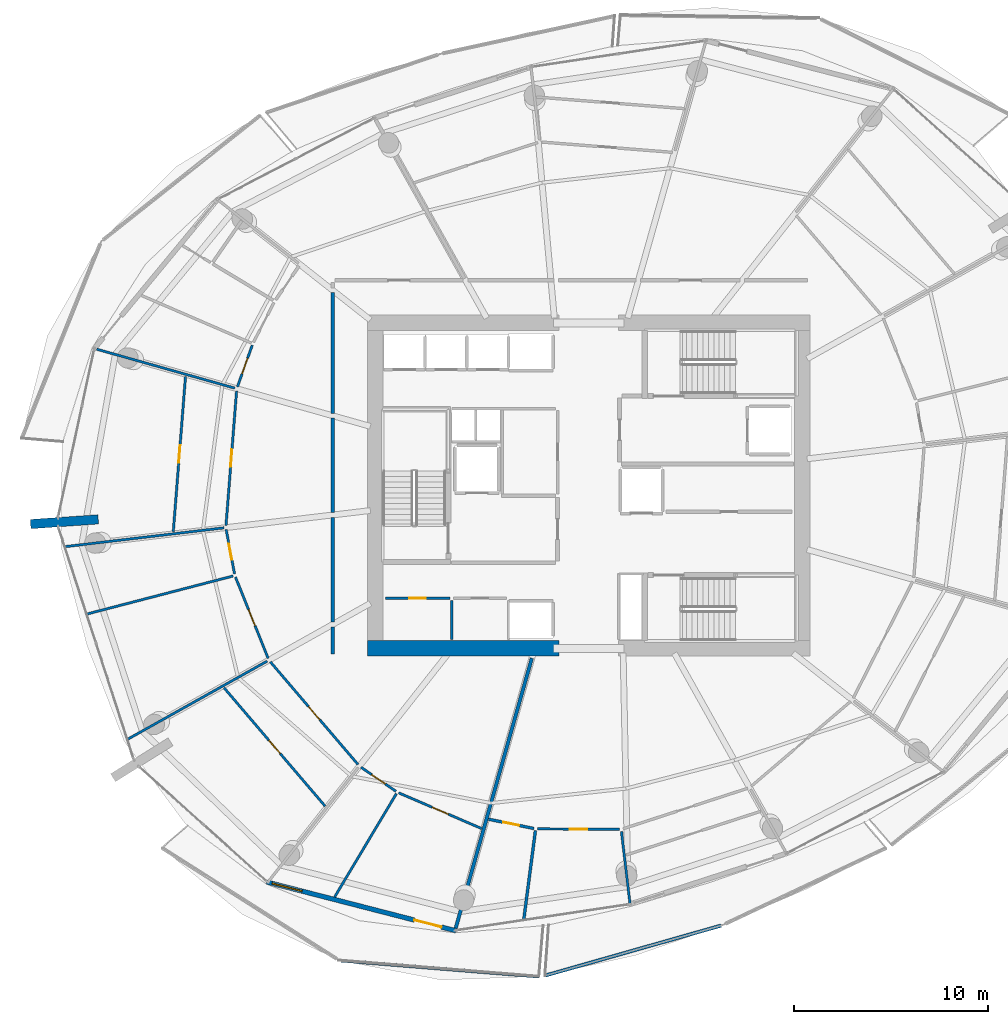
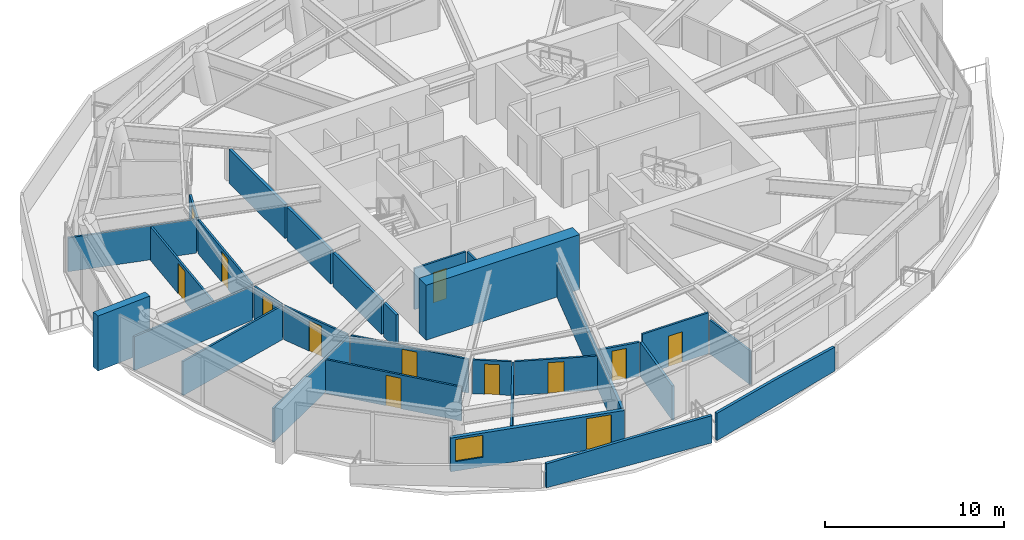
# One storey, part 10 of 19: 30 walls, 13 doors, 1 window, 14 openings.
"""IFC4 building model written with IfcOpenShell, lengths in metres."""

from ifc_helpers import new_model, si_unit, direction, frame, frame_2d, origin, place, context, subcontext, project, spatial, polyline, rectangle, outline, extrude, material, layer, layer_set, type_object, element, fill, save


model = new_model("IFC4")

# Units and contexts
model_context = context("Model", 3, precision=1e-05, world=origin(), true_north=direction((0.0, 1.0)))
body_context = subcontext(model_context, "Body", "Model", "MODEL_VIEW")
ifc_project = project(units=[si_unit("LENGTHUNIT", "METRE"), si_unit("AREAUNIT", "SQUARE_METRE"), si_unit("VOLUMEUNIT", "CUBIC_METRE"), si_unit("PLANEANGLEUNIT", "RADIAN"), si_unit("MASSUNIT", "GRAM", prefix="KILO")], contexts=[model_context])

# Site, building, storey
site_placement = place(None, origin())
site = spatial("IfcSite", under=ifc_project, at=site_placement, CompositionType="ELEMENT")
building_placement = place(site_placement, origin())
building = spatial("IfcBuilding", under=site, at=building_placement, Name="Kazma Halo Residences", CompositionType="ELEMENT")
storey_placement = place(building_placement, frame((0.0, 0.0, 172.800048828125)))
storey = spatial("IfcBuildingStorey", under=building, at=storey_placement, Name="L43", CompositionType="ELEMENT", Elevation=172.800048828125)

# Walls
ifc_material_1 = material(Name="White Concrete C50/60 Balustrade", Category="concrete")
ifc_layer_1 = layer(ifc_material_1, 0.179931640625)
ifc_layer_set_1 = layer_set([ifc_layer_1], Name="White Concrete C50/60 Balustrade")
wall_type_1 = type_object("IfcWallType", Name="WL-BAL-WAVE-180", PredefinedType="PARAPET", material=ifc_layer_set_1)
wall_1_placement = place(storey_placement, frame((35.63427734375, 17.486328125, 0.0), z_axis=(0.0, 0.0, 1.0), x_axis=(0.99674567407, -0.080610552806, 0.0)))
element("IfcWall", 1, at=wall_1_placement, inside=storey, type_object=wall_type_1, Name="L43 white wave balustrade wall SW.2", PredefinedType="PARAPET", context=body_context, shape_type="SweptSolid", body=[
    extrude(outline(polyline([(0.0, 0.0), (10.2490234375, 0.0), (10.2490234375, 1.85986328125), (5.12451171875, 1.7978515625), (0.0, 1.6318359375), (0.0, 0.0)])), frame((0.0, 0.08984375, 0.0), z_axis=(0.0, -1.0, 0.0), x_axis=(1.0, 0.0, 0.0)), (0.0, 0.0, 1.0), 0.179931640625),
])
wall_2_placement = place(storey_placement, frame((46.16455078125, 16.704345703125, 0.0), z_axis=(0.0, 0.0, 1.0), x_axis=(0.961897452062, 0.27341048209, 0.0)))
element("IfcWall", 2, at=wall_2_placement, inside=storey, type_object=wall_type_1, Name="L43 white wave balustrade wall SSE.1", PredefinedType="PARAPET", context=body_context, shape_type="SweptSolid", body=[
    extrude(outline(polyline([(0.0, 0.0), (9.44921875, 0.0), (9.448974609375, 1.6318359375), (4.724609375, 1.7978515625), (0.0, 1.85986328125), (0.0, 0.0)])), frame((0.0, 0.08984375, 0.0), z_axis=(0.0, -1.0, 0.0), x_axis=(1.0, 0.0, 0.0)), (0.0, 0.0, 1.0), 0.179931640625),
])
ifc_material_2 = material(Name="Pale Concrete C60/75", Category="concrete")
ifc_layer_2 = layer(ifc_material_2, 0.47998046875)
ifc_layer_set_2 = layer_set([ifc_layer_2], Name="Pale Concrete C60/75")
wall_type_2 = type_object("IfcWallType", Name="WL-BLADE-480", PredefinedType="SOLIDWALL", material=ifc_layer_set_2)
wall_3_placement = place(storey_placement, frame((23.10302734375, 40.259033203125, 0.0), z_axis=(0.0, 0.0, 1.0), x_axis=(-0.997564163539, -0.069754853754, 0.0)))
element("IfcWall", 3, at=wall_3_placement, inside=storey, type_object=wall_type_2, Name="L43 pale concrete structural blade fin wall BW-02", PredefinedType="SOLIDWALL", context=body_context, shape_type="SweptSolid", body=[
    extrude(rectangle(XDim=3.5, YDim=0.47998046875, at=frame_2d((1.75, 0.0))), origin(), (0.0, 0.0, 1.0), 3.75),
])
ifc_material_3 = material(Name="Concrete C80/95", Category="concrete")
ifc_layer_3 = layer(ifc_material_3, 0.800048828125)
ifc_layer_set_3 = layer_set([ifc_layer_3], Name="Concrete C80/95")
wall_type_3 = type_object("IfcWallType", Name="WL-CORE-800", PredefinedType="SHEAR", material=ifc_layer_set_3)
wall_4_placement = place(storey_placement, frame((37.0, 33.60009765625, 0.0), z_axis=(0.0, 0.0, 1.0), x_axis=(1.0, 0.0, 0.0)))
element("IfcWall", 4, at=wall_4_placement, inside=storey, type_object=wall_type_3, Name="L43 central core shear wall SW", PredefinedType="SHEAR", context=body_context, shape_type="SweptSolid", body=[
    extrude(rectangle(XDim=9.89990234375, YDim=0.800048828125, at=frame_2d((4.949951171875, 0.0))), origin(), (0.0, 0.0, 1.0), 3.75),
])
ifc_material_4 = material(Name="Acoustic Twin-Stud Gypsum")
ifc_layer_4 = layer(ifc_material_4, 0.179931640625)
ifc_layer_set_4 = layer_set([ifc_layer_4], Name="Acoustic Twin-Stud Gypsum")
wall_type_4 = type_object("IfcWallType", Name="WL-DEM-180", PredefinedType="PARTITIONING", material=ifc_layer_set_4)
wall_5_placement = place(storey_placement, frame((45.48828125, 33.093994140625, 0.0), z_axis=(0.0, 0.0, 1.0), x_axis=(-0.271442952208, -0.962454530717, 0.0)))
element("IfcWall", 5, at=wall_5_placement, inside=storey, type_object=wall_type_4, Name="L43 apartment demising radial wall 10", PredefinedType="PARTITIONING", context=body_context, shape_type="SweptSolid", body=[
    extrude(rectangle(XDim=14.486083984375, YDim=0.179931640625, at=frame_2d((7.2431640625, 0.0))), origin(), (0.0, 0.0, 1.0), 2.306884765625),
])
wall_6_placement = place(storey_placement, frame((35.199951171875, 51.970703125, 0.0), z_axis=(0.0, 0.0, 1.0), x_axis=(0.0, -1.0, 0.0)))
element("IfcWall", 6, at=wall_6_placement, inside=storey, type_object=wall_type_4, Name="L43 Apartment 1 inner wall 5", PredefinedType="PARTITIONING", context=body_context, shape_type="SweptSolid", body=[
    extrude(rectangle(XDim=6.24072265625, YDim=0.179931640625, at=frame_2d((3.120361328125, 0.0))), origin(), (0.0, 0.0, 1.0), 2.306884765625),
])
wall_7_placement = place(storey_placement, frame((35.199951171875, 45.489990234375, 0.0), z_axis=(0.0, 0.0, 1.0), x_axis=(0.0, -1.0, 0.0)))
element("IfcWall", 7, at=wall_7_placement, inside=storey, type_object=wall_type_4, Name="L43 Apartment 1 inner wall 6", PredefinedType="PARTITIONING", context=body_context, shape_type="SweptSolid", body=[
    extrude(rectangle(XDim=4.885009765625, YDim=0.179931640625, at=frame_2d((2.4423828125, 0.0))), origin(), (0.0, 0.0, 1.0), 2.306884765625),
])
wall_8_placement = place(storey_placement, frame((35.199951171875, 40.364990234375, 0.0), z_axis=(0.0, 0.0, 1.0), x_axis=(0.0, -1.0, 0.0)))
element("IfcWall", 8, at=wall_8_placement, inside=storey, type_object=wall_type_4, Name="L43 Apartment 1 inner wall 7", PredefinedType="PARTITIONING", context=body_context, shape_type="SweptSolid", body=[
    extrude(rectangle(XDim=5.413330078125, YDim=0.179931640625, at=frame_2d((2.70654296875, 0.0))), origin(), (0.0, 0.0, 1.0), 2.306884765625),
])
wall_9_placement = place(storey_placement, frame((35.199951171875, 34.711669921875, 0.0), z_axis=(0.0, 0.0, 1.0), x_axis=(0.0, -1.0, 0.0)))
element("IfcWall", 9, at=wall_9_placement, inside=storey, type_object=wall_type_4, Name="L43 Apartment 1 inner wall 8", PredefinedType="PARTITIONING", context=body_context, shape_type="SweptSolid", body=[
    extrude(rectangle(XDim=1.3916015625, YDim=0.179931640625, at=frame_2d((0.69580078125, 0.0))), origin(), (0.0, 0.0, 1.0), 2.306884765625),
])

# Wall, openings, door, window
ifc_material_5 = material(Name="Insulated Pale-Metal Composite Wall")
ifc_layer_5 = layer(ifc_material_5, 0.239990234375)
ifc_layer_set_5 = layer_set([ifc_layer_5], Name="Insulated Pale-Metal Composite Wall")
wall_type_5 = type_object("IfcWallType", Name="WL-EXT-HOST-240", PredefinedType="SOLIDWALL", material=ifc_layer_set_5)
wall_10_placement = place(storey_placement, frame((31.807861328125, 21.5341796875, 0.0), z_axis=(0.0, 0.0, 1.0), x_axis=(0.968379685126, -0.249481032214, 0.0)))
wall_10 = element("IfcWall", 10, at=wall_10_placement, inside=storey, type_object=wall_type_5, Name="L43 exterior terrace-access wall B10", PredefinedType="SOLIDWALL", context=body_context, shape_type="SweptSolid", body=[
    extrude(rectangle(XDim=10.08154296875, YDim=0.239990234375, at=frame_2d((5.040771484375, 0.0))), origin(), (0.0, 0.0, 1.0), 2.300048828125),
])
opening_1_placement = place(wall_10_placement, frame((7.861572265625, 0.0, 0.0)))
opening_1 = element("IfcOpeningElement", 11, at=opening_1_placement, cuts=wall_10, Name="Opening DTR-1600", PredefinedType="OPENING", context=body_context, shape_type="SweptSolid", body=[
    extrude(rectangle(XDim=1.449951171875, YDim=2.14990234375, at=frame_2d((0.72509765625, 1.074951171875))), frame((0.0, 0.1298828125, 0.0), z_axis=(0.0, -1.0, 0.0), x_axis=(1.0, 0.0, 0.0)), (0.0, 0.0, 1.0), 0.260009765625),
])
opening_2_placement = place(wall_10_placement, frame((0.280029296875, 0.0, 0.64990234375)))
opening_2 = element("IfcOpeningElement", 12, at=opening_2_placement, cuts=wall_10, Name="Opening W-1800", PredefinedType="OPENING", context=body_context, shape_type="SweptSolid", body=[
    extrude(rectangle(XDim=1.60009765625, YDim=1.5, at=frame_2d((0.800048828125, 0.75))), frame((0.0, 0.1298828125, 0.0), z_axis=(0.0, -1.0, 0.0), x_axis=(1.0, 0.0, 0.0)), (0.0, 0.0, 1.0), 0.260009765625),
])
ifc_material_6 = material(Name="Aluminium AW-6063 T6 Double-Glazed Terrace Door", Category="aluminium")
door_type_1 = type_object("IfcDoorType", Name="DR-EXT-TERR-1600", OperationType="NOTDEFINED", PredefinedType="DOOR", material=ifc_material_6)
door_1_placement = place(opening_1_placement, origin())
door_1 = element("IfcDoor", 13, at=door_1_placement, inside=storey, type_object=door_type_1, Name="L43 B10 balcony terrace door", OperationType="DOUBLE_DOOR_SLIDING", OverallHeight=2.14990234375, OverallWidth=1.449951171875, PredefinedType="DOOR", context=body_context, shape_type="SweptSolid", body=[
    extrude(rectangle(XDim=1.449951171875, YDim=2.14990234375, at=frame_2d((0.72509765625, 1.074951171875))), frame((0.0, 0.02490234375, 0.0), z_axis=(0.0, -1.0, 0.0), x_axis=(1.0, 0.0, 0.0)), (0.0, 0.0, 1.0), 0.050048828125),
])
fill(opening_1, door_1)
ifc_material_7 = material(Name="Clear Triple-Silver Low-E Glass in Aluminium AW-6063 T6 Frame", Category="aluminium")
window_type = type_object("IfcWindowType", Name="WIN-RES-1800", PartitioningType="DOUBLE_PANEL_VERTICAL", PredefinedType="WINDOW", material=ifc_material_7)
window_placement = place(opening_2_placement, origin())
window = element("IfcWindow", 14, at=window_placement, inside=storey, type_object=window_type, Name="L43 B10 apartment window", OverallHeight=1.5, OverallWidth=1.60009765625, PartitioningType="SINGLE_PANEL", PredefinedType="WINDOW", context=body_context, shape_type="SweptSolid", body=[
    extrude(rectangle(XDim=1.60009765625, YDim=1.5, at=frame_2d((0.800048828125, 0.75))), frame((0.0, 0.030029296875, 0.0), z_axis=(0.0, -1.0, 0.0), x_axis=(1.0, 0.0, 0.0)), (0.0, 0.0, 1.0), 0.06005859375),
])
fill(opening_2, window)

# Wall
ifc_material_8 = material(Name="Gypsum Plasterboard Partition")
ifc_layer_6 = layer(ifc_material_8, 0.125)
ifc_layer_set_6 = layer_set([ifc_layer_6], Name="Gypsum Plasterboard Partition")
wall_type_6 = type_object("IfcWallType", Name="WL-PART-125", PredefinedType="PARTITIONING", material=ifc_layer_set_6)
wall_11_placement = place(storey_placement, frame((41.35009765625, 34.050048828125, 0.0), z_axis=(0.0, 0.0, 1.0), x_axis=(0.0, 1.0, 0.0)))
element("IfcWall", 15, at=wall_11_placement, inside=storey, type_object=wall_type_6, Name="L43 reclaimed south divider wall", PredefinedType="PARTITIONING", context=body_context, shape_type="SweptSolid", body=[
    extrude(rectangle(XDim=2.030029296875, YDim=0.125, at=frame_2d((1.01513671875, 0.0))), origin(), (0.0, 0.0, 1.0), 2.7900390625),
])

# Wall, opening, door
wall_12_placement = place(storey_placement, frame((37.919921875, 36.179931640625, 0.0), z_axis=(0.0, 0.0, 1.0), x_axis=(1.0, 0.0, 0.0)))
wall_12 = element("IfcWall", 16, at=wall_12_placement, inside=storey, type_object=wall_type_6, Name="L43 reclaimed south W front wall", PredefinedType="PARTITIONING", context=body_context, shape_type="SweptSolid", body=[
    extrude(rectangle(XDim=3.330078125, YDim=0.125, at=frame_2d((1.6650390625, 0.0))), origin(), (0.0, 0.0, 1.0), 2.7900390625),
])
opening_3_placement = place(wall_12_placement, frame((1.239990234375, 0.0, 0.0)))
opening_3 = element("IfcOpeningElement", 17, at=opening_3_placement, cuts=wall_12, Name="Opening DS-850", PredefinedType="OPENING", context=body_context, shape_type="SweptSolid", body=[
    extrude(rectangle(XDim=0.85009765625, YDim=2.06005859375, at=frame_2d((0.425048828125, 1.030029296875))), frame((0.0, 0.072509765625, 0.0), z_axis=(0.0, -1.0, 0.0), x_axis=(1.0, 0.0, 0.0)), (0.0, 0.0, 1.0), 0.14501953125),
])
ifc_material_9 = material(Name="Painted Steel Access Leaf", Category="steel")
door_type_2 = type_object("IfcDoorType", Name="DR-SVC-850", OperationType="NOTDEFINED", PredefinedType="DOOR", material=ifc_material_9)
door_2_placement = place(opening_3_placement, origin())
door_2 = element("IfcDoor", 18, at=door_2_placement, inside=storey, type_object=door_type_2, Name="L43 reclaimed south W door", OperationType="SINGLE_SWING_RIGHT", OverallHeight=2.06005859375, OverallWidth=0.85009765625, PredefinedType="DOOR", context=body_context, shape_type="SweptSolid", body=[
    extrude(rectangle(XDim=0.85009765625, YDim=2.06005859375, at=frame_2d((0.425048828125, 1.030029296875))), frame((0.0, 0.02490234375, 0.0), z_axis=(0.0, -1.0, 0.0), x_axis=(1.0, 0.0, 0.0)), (0.0, 0.0, 1.0), 0.050048828125),
])
fill(opening_3, door_2)

wall_13_placement = place(storey_placement, frame((31.0537109375, 49.25439453125, 0.0), z_axis=(0.0, 0.0, 1.0), x_axis=(-0.335247594753, -0.942130060136, 0.0)))
wall_13 = element("IfcWall", 19, at=wall_13_placement, inside=storey, type_object=wall_type_6, Name="L43 Apartment 1 Primary Bedroom hall wall", PredefinedType="PARTITIONING", context=body_context, shape_type="SweptSolid", body=[
    extrude(rectangle(XDim=2.287353515625, YDim=0.125, at=frame_2d((1.1435546875, 0.0))), origin(), (0.0, 0.0, 1.0), 2.306884765625),
])
opening_4_placement = place(wall_13_placement, frame((0.71875, 0.0, 0.0)))
opening_4 = element("IfcOpeningElement", 20, at=opening_4_placement, cuts=wall_13, Name="Opening DB-900", PredefinedType="OPENING", context=body_context, shape_type="SweptSolid", body=[
    extrude(rectangle(XDim=0.85009765625, YDim=2.06005859375, at=frame_2d((0.425048828125, 1.030029296875))), frame((0.0, 0.072509765625, 0.0), z_axis=(0.0, -1.0, 0.0), x_axis=(1.0, 0.0, 0.0)), (0.0, 0.0, 1.0), 0.14501953125),
])
ifc_material_10 = material(Name="Moisture-Sealed Timber Leaf", Category="wood")
door_type_3 = type_object("IfcDoorType", Name="DR-BTH-900", OperationType="NOTDEFINED", PredefinedType="DOOR", material=ifc_material_10)
door_3_placement = place(opening_4_placement, origin())
door_3 = element("IfcDoor", 21, at=door_3_placement, inside=storey, type_object=door_type_3, Name="L43 Apartment 1 Primary Bedroom door", OperationType="SINGLE_SWING_RIGHT", OverallHeight=2.06005859375, OverallWidth=0.85009765625, PredefinedType="DOOR", context=body_context, shape_type="SweptSolid", body=[
    extrude(rectangle(XDim=0.85009765625, YDim=2.06005859375, at=frame_2d((0.425048828125, 1.030029296875))), frame((0.0, 0.02490234375, 0.0), z_axis=(0.0, -1.0, 0.0), x_axis=(1.0, 0.0, 0.0)), (0.0, 0.0, 1.0), 0.050048828125),
])
fill(opening_4, door_3)

# Wall
wall_14_placement = place(storey_placement, frame((30.156982421875, 47.0322265625, 0.0), z_axis=(0.0, 0.0, 1.0), x_axis=(-0.962456736489, 0.271435131084, 0.0)))
element("IfcWall", 22, at=wall_14_placement, inside=storey, type_object=wall_type_6, Name="L43 Apartment 1 radial partition 6", PredefinedType="PARTITIONING", context=body_context, shape_type="SweptSolid", body=[
    extrude(rectangle(XDim=7.412353515625, YDim=0.125, at=frame_2d((3.7060546875, 0.0))), origin(), (0.0, 0.0, 1.0), 2.306884765625),
])

# Wall, opening, door
wall_15_placement = place(storey_placement, frame((30.24462890625, 46.8955078125, 0.0), z_axis=(0.0, 0.0, 1.0), x_axis=(-0.078444324085, -0.996918496177, 0.0)))
wall_15 = element("IfcWall", 23, at=wall_15_placement, inside=storey, type_object=wall_type_6, Name="L43 Apartment 1 Primary Study hall wall", PredefinedType="PARTITIONING", context=body_context, shape_type="SweptSolid", body=[
    extrude(rectangle(XDim=6.974609375, YDim=0.125, at=frame_2d((3.4873046875, 0.0))), origin(), (0.0, 0.0, 1.0), 2.306884765625),
])
opening_5_placement = place(wall_15_placement, frame((3.037353515625, 0.0, 0.0)))
opening_5 = element("IfcOpeningElement", 24, at=opening_5_placement, cuts=wall_15, Name="Opening DI-950", PredefinedType="OPENING", context=body_context, shape_type="SweptSolid", body=[
    extrude(rectangle(XDim=0.89990234375, YDim=2.080078125, at=frame_2d((0.449951171875, 1.0400390625))), frame((0.0, 0.072509765625, 0.0), z_axis=(0.0, -1.0, 0.0), x_axis=(1.0, 0.0, 0.0)), (0.0, 0.0, 1.0), 0.14501953125),
])
ifc_material_11 = material(Name="Timber Veneer Flush Leaf", Category="wood")
door_type_4 = type_object("IfcDoorType", Name="DR-INT-950", OperationType="NOTDEFINED", PredefinedType="DOOR", material=ifc_material_11)
door_4_placement = place(opening_5_placement, origin())
door_4 = element("IfcDoor", 25, at=door_4_placement, inside=storey, type_object=door_type_4, Name="L43 Apartment 1 Primary Study door", OperationType="SINGLE_SWING_RIGHT", OverallHeight=2.080078125, OverallWidth=0.89990234375, PredefinedType="DOOR", context=body_context, shape_type="SweptSolid", body=[
    extrude(rectangle(XDim=0.89990234375, YDim=2.080078125, at=frame_2d((0.449951171875, 1.0400390625))), frame((0.0, 0.02490234375, 0.0), z_axis=(0.0, -1.0, 0.0), x_axis=(1.0, 0.0, 0.0)), (0.0, 0.0, 1.0), 0.050048828125),
])
fill(opening_5, door_4)

wall_16_placement = place(storey_placement, frame((27.607666015625, 47.63916015625, 0.0), z_axis=(0.0, 0.0, 1.0), x_axis=(-0.078490541144, -0.996914858426, 0.0)))
wall_16 = element("IfcWall", 26, at=wall_16_placement, inside=storey, type_object=wall_type_6, Name="L43 Apartment 1 Secondary Master Bedroom divider wall", PredefinedType="PARTITIONING", context=body_context, shape_type="SweptSolid", body=[
    extrude(rectangle(XDim=8.043701171875, YDim=0.125, at=frame_2d((4.02197265625, 0.0))), origin(), (0.0, 0.0, 1.0), 2.306884765625),
])
opening_6_placement = place(wall_16_placement, frame((3.57177734375, 0.0, 0.0)))
opening_6 = element("IfcOpeningElement", 27, at=opening_6_placement, cuts=wall_16, Name="Opening DI-950", PredefinedType="OPENING", context=body_context, shape_type="SweptSolid", body=[
    extrude(rectangle(XDim=0.89990234375, YDim=2.080078125, at=frame_2d((0.449951171875, 1.0400390625))), frame((0.0, 0.072509765625, 0.0), z_axis=(0.0, -1.0, 0.0), x_axis=(1.0, 0.0, 0.0)), (0.0, 0.0, 1.0), 0.14501953125),
])
door_5_placement = place(opening_6_placement, origin())
door_5 = element("IfcDoor", 28, at=door_5_placement, inside=storey, type_object=door_type_4, Name="L43 Apartment 1 Secondary Master Bedroom door", OperationType="SINGLE_SWING_LEFT", OverallHeight=2.080078125, OverallWidth=0.89990234375, PredefinedType="DOOR", context=body_context, shape_type="SweptSolid", body=[
    extrude(rectangle(XDim=0.89990234375, YDim=2.080078125, at=frame_2d((0.449951171875, 1.0400390625))), frame((0.0, 0.02490234375, 0.0), z_axis=(0.0, -1.0, 0.0), x_axis=(1.0, 0.0, 0.0)), (0.0, 0.0, 1.0), 0.050048828125),
])
fill(opening_6, door_5)

# Walls
wall_17_placement = place(storey_placement, frame((29.589599609375, 39.82080078125, 0.0), z_axis=(0.0, 0.0, 1.0), x_axis=(-0.993070354128, -0.117521367213, 0.0)))
element("IfcWall", 29, at=wall_17_placement, inside=storey, type_object=wall_type_6, Name="L43 Apartment 1 radial partition 7", PredefinedType="PARTITIONING", context=body_context, shape_type="SweptSolid", body=[
    extrude(rectangle(XDim=8.247314453125, YDim=0.125, at=frame_2d((4.12353515625, 0.0))), origin(), (0.0, 0.0, 1.0), 2.306884765625),
])
wall_18_placement = place(storey_placement, frame((30.067626953125, 37.335693359375, 0.0), z_axis=(0.0, 0.0, 1.0), x_axis=(-0.967797769308, -0.251728976723, 0.0)))
element("IfcWall", 30, at=wall_18_placement, inside=storey, type_object=wall_type_6, Name="L43 Apartment 1 mid-bay wall 7", PredefinedType="PARTITIONING", context=body_context, shape_type="SweptSolid", body=[
    extrude(rectangle(XDim=7.788818359375, YDim=0.125, at=frame_2d((3.89453125, 0.0))), origin(), (0.0, 0.0, 1.0), 2.324951171875),
])

# Wall, opening, door
wall_19_placement = place(storey_placement, frame((29.707275390625, 39.734375, 0.0), z_axis=(0.0, 0.0, 1.0), x_axis=(0.185057746292, -0.9827276482, 0.0)))
wall_19 = element("IfcWall", 31, at=wall_19_placement, inside=storey, type_object=wall_type_6, Name="L43 Apartment 1 East Wine Pantry Store hall wall", PredefinedType="PARTITIONING", context=body_context, shape_type="SweptSolid", body=[
    extrude(rectangle(XDim=2.337646484375, YDim=0.125, at=frame_2d((1.1689453125, 0.0))), origin(), (0.0, 0.0, 1.0), 2.306884765625),
])
opening_7_placement = place(wall_19_placement, frame((0.743896484375, 0.0, 0.0)))
opening_7 = element("IfcOpeningElement", 32, at=opening_7_placement, cuts=wall_19, Name="Opening DB-900", PredefinedType="OPENING", context=body_context, shape_type="SweptSolid", body=[
    extrude(rectangle(XDim=0.85009765625, YDim=2.06005859375, at=frame_2d((0.425048828125, 1.030029296875))), frame((0.0, 0.072509765625, 0.0), z_axis=(0.0, -1.0, 0.0), x_axis=(1.0, 0.0, 0.0)), (0.0, 0.0, 1.0), 0.14501953125),
])
door_6_placement = place(opening_7_placement, origin())
door_6 = element("IfcDoor", 33, at=door_6_placement, inside=storey, type_object=door_type_3, Name="L43 Apartment 1 East Wine Pantry Store door", OperationType="SINGLE_SWING_LEFT", OverallHeight=2.06005859375, OverallWidth=0.85009765625, PredefinedType="DOOR", context=body_context, shape_type="SweptSolid", body=[
    extrude(rectangle(XDim=0.85009765625, YDim=2.06005859375, at=frame_2d((0.425048828125, 1.030029296875))), frame((0.0, 0.02490234375, 0.0), z_axis=(0.0, -1.0, 0.0), x_axis=(1.0, 0.0, 0.0)), (0.0, 0.0, 1.0), 0.050048828125),
])
fill(opening_7, door_6)

wall_20_placement = place(storey_placement, frame((30.184814453125, 37.2841796875, 0.0), z_axis=(0.0, 0.0, 1.0), x_axis=(0.373193309098, -0.927753606322, 0.0)))
wall_20 = element("IfcWall", 34, at=wall_20_placement, inside=storey, type_object=wall_type_6, Name="L43 Apartment 1 West Formal Dining Room hall wall", PredefinedType="PARTITIONING", context=body_context, shape_type="SweptSolid", body=[
    extrude(rectangle(XDim=4.5283203125, YDim=0.125, at=frame_2d((2.26416015625, 0.0))), origin(), (0.0, 0.0, 1.0), 2.306884765625),
])
opening_8_placement = place(wall_20_placement, frame((1.814208984375, 0.0, 0.0)))
opening_8 = element("IfcOpeningElement", 35, at=opening_8_placement, cuts=wall_20, Name="Opening DI-950", PredefinedType="OPENING", context=body_context, shape_type="SweptSolid", body=[
    extrude(rectangle(XDim=0.89990234375, YDim=2.080078125, at=frame_2d((0.449951171875, 1.0400390625))), frame((0.0, 0.072509765625, 0.0), z_axis=(0.0, -1.0, 0.0), x_axis=(1.0, 0.0, 0.0)), (0.0, 0.0, 1.0), 0.14501953125),
])
door_7_placement = place(opening_8_placement, origin())
door_7 = element("IfcDoor", 36, at=door_7_placement, inside=storey, type_object=door_type_4, Name="L43 Apartment 1 West Formal Dining Room door", OperationType="SINGLE_SWING_RIGHT", OverallHeight=2.080078125, OverallWidth=0.89990234375, PredefinedType="DOOR", context=body_context, shape_type="SweptSolid", body=[
    extrude(rectangle(XDim=0.89990234375, YDim=2.080078125, at=frame_2d((0.449951171875, 1.0400390625))), frame((0.0, 0.02490234375, 0.0), z_axis=(0.0, -1.0, 0.0), x_axis=(1.0, 0.0, 0.0)), (0.0, 0.0, 1.0), 0.050048828125),
])
fill(opening_8, door_7)

# Wall
wall_21_placement = place(storey_placement, frame((31.82470703125, 32.94140625, 0.0), z_axis=(0.0, 0.0, 1.0), x_axis=(-0.872491881101, -0.488628608877, 0.0)))
element("IfcWall", 37, at=wall_21_placement, inside=storey, type_object=wall_type_6, Name="L43 Apartment 1 radial partition 8", PredefinedType="PARTITIONING", context=body_context, shape_type="SweptSolid", body=[
    extrude(rectangle(XDim=8.2470703125, YDim=0.125, at=frame_2d((4.12353515625, 0.0))), origin(), (0.0, 0.0, 1.0), 2.306884765625),
])

# Wall, opening, door
wall_22_placement = place(storey_placement, frame((31.9833984375, 32.90673828125, 0.0), z_axis=(0.0, 0.0, 1.0), x_axis=(0.649447060425, -0.76040680935, 0.0)))
wall_22 = element("IfcWall", 38, at=wall_22_placement, inside=storey, type_object=wall_type_6, Name="L43 Apartment 1 North Study hall wall", PredefinedType="PARTITIONING", context=body_context, shape_type="SweptSolid", body=[
    extrude(rectangle(XDim=6.974853515625, YDim=0.125, at=frame_2d((3.4873046875, 0.0))), origin(), (0.0, 0.0, 1.0), 2.306884765625),
])
opening_9_placement = place(wall_22_placement, frame((3.037353515625, 0.0, 0.0)))
opening_9 = element("IfcOpeningElement", 39, at=opening_9_placement, cuts=wall_22, Name="Opening DI-950", PredefinedType="OPENING", context=body_context, shape_type="SweptSolid", body=[
    extrude(rectangle(XDim=0.89990234375, YDim=2.080078125, at=frame_2d((0.449951171875, 1.0400390625))), frame((0.0, 0.072509765625, 0.0), z_axis=(0.0, -1.0, 0.0), x_axis=(1.0, 0.0, 0.0)), (0.0, 0.0, 1.0), 0.14501953125),
])
door_8_placement = place(opening_9_placement, origin())
door_8 = element("IfcDoor", 40, at=door_8_placement, inside=storey, type_object=door_type_4, Name="L43 Apartment 1 North Study door", OperationType="SINGLE_SWING_RIGHT", OverallHeight=2.080078125, OverallWidth=0.89990234375, PredefinedType="DOOR", context=body_context, shape_type="SweptSolid", body=[
    extrude(rectangle(XDim=0.89990234375, YDim=2.080078125, at=frame_2d((0.449951171875, 1.0400390625))), frame((0.0, 0.02490234375, 0.0), z_axis=(0.0, -1.0, 0.0), x_axis=(1.0, 0.0, 0.0)), (0.0, 0.0, 1.0), 0.050048828125),
])
fill(opening_9, door_8)

wall_23_placement = place(storey_placement, frame((29.5927734375, 31.56787109375, 0.0), z_axis=(0.0, 0.0, 1.0), x_axis=(0.649460624158, -0.760395224649, 0.0)))
wall_23 = element("IfcWall", 41, at=wall_23_placement, inside=storey, type_object=wall_type_6, Name="L43 Apartment 1 South Master Bedroom divider wall", PredefinedType="PARTITIONING", context=body_context, shape_type="SweptSolid", body=[
    extrude(rectangle(XDim=8.043701171875, YDim=0.125, at=frame_2d((4.02197265625, 0.0))), origin(), (0.0, 0.0, 1.0), 2.306884765625),
])
opening_10_placement = place(wall_23_placement, frame((3.572021484375, 0.0, 0.0)))
opening_10 = element("IfcOpeningElement", 42, at=opening_10_placement, cuts=wall_23, Name="Opening DI-950", PredefinedType="OPENING", context=body_context, shape_type="SweptSolid", body=[
    extrude(rectangle(XDim=0.89990234375, YDim=2.080078125, at=frame_2d((0.449951171875, 1.0400390625))), frame((0.0, 0.072509765625, 0.0), z_axis=(0.0, -1.0, 0.0), x_axis=(1.0, 0.0, 0.0)), (0.0, 0.0, 1.0), 0.14501953125),
])
door_9_placement = place(opening_10_placement, origin())
door_9 = element("IfcDoor", 43, at=door_9_placement, inside=storey, type_object=door_type_4, Name="L43 Apartment 1 South Master Bedroom door", OperationType="SINGLE_SWING_LEFT", OverallHeight=2.080078125, OverallWidth=0.89990234375, PredefinedType="DOOR", context=body_context, shape_type="SweptSolid", body=[
    extrude(rectangle(XDim=0.89990234375, YDim=2.080078125, at=frame_2d((0.449951171875, 1.0400390625))), frame((0.0, 0.02490234375, 0.0), z_axis=(0.0, -1.0, 0.0), x_axis=(1.0, 0.0, 0.0)), (0.0, 0.0, 1.0), 0.050048828125),
])
fill(opening_10, door_9)

# Wall
wall_24_placement = place(storey_placement, frame((38.492919921875, 26.095947265625, 0.0), z_axis=(0.0, 0.0, 1.0), x_axis=(-0.513080671857, -0.858340389453, 0.0)))
element("IfcWall", 44, at=wall_24_placement, inside=storey, type_object=wall_type_6, Name="L43 Apartment 1 mid-bay wall 9", PredefinedType="PARTITIONING", context=body_context, shape_type="SweptSolid", body=[
    extrude(rectangle(XDim=6.21923828125, YDim=0.125, at=frame_2d((3.109619140625, 0.0))), origin(), (0.0, 0.0, 1.0), 2.324951171875),
])

# Wall, opening, door
wall_25_placement = place(storey_placement, frame((36.6669921875, 27.462890625, 0.0), z_axis=(0.0, 0.0, 1.0), x_axis=(0.823476398479, -0.567350527582, 0.0)))
wall_25 = element("IfcWall", 45, at=wall_25_placement, inside=storey, type_object=wall_type_6, Name="L43 Apartment 1 Inner Wine Pantry Store hall wall", PredefinedType="PARTITIONING", context=body_context, shape_type="SweptSolid", body=[
    extrude(rectangle(XDim=2.193359375, YDim=0.125, at=frame_2d((1.0966796875, 0.0))), origin(), (0.0, 0.0, 1.0), 2.306884765625),
])
opening_11_placement = place(wall_25_placement, frame((0.671630859375, 0.0, 0.0)))
opening_11 = element("IfcOpeningElement", 46, at=opening_11_placement, cuts=wall_25, Name="Opening DB-900", PredefinedType="OPENING", context=body_context, shape_type="SweptSolid", body=[
    extrude(rectangle(XDim=0.85009765625, YDim=2.06005859375, at=frame_2d((0.425048828125, 1.030029296875))), frame((0.0, 0.072509765625, 0.0), z_axis=(0.0, -1.0, 0.0), x_axis=(1.0, 0.0, 0.0)), (0.0, 0.0, 1.0), 0.14501953125),
])
door_10_placement = place(opening_11_placement, origin())
door_10 = element("IfcDoor", 47, at=door_10_placement, inside=storey, type_object=door_type_3, Name="L43 Apartment 1 Inner Wine Pantry Store door", OperationType="SINGLE_SWING_LEFT", OverallHeight=2.06005859375, OverallWidth=0.85009765625, PredefinedType="DOOR", context=body_context, shape_type="SweptSolid", body=[
    extrude(rectangle(XDim=0.85009765625, YDim=2.06005859375, at=frame_2d((0.425048828125, 1.030029296875))), frame((0.0, 0.02490234375, 0.0), z_axis=(0.0, -1.0, 0.0), x_axis=(1.0, 0.0, 0.0)), (0.0, 0.0, 1.0), 0.050048828125),
])
fill(opening_11, door_10)

wall_26_placement = place(storey_placement, frame((38.612548828125, 26.1416015625, 0.0), z_axis=(0.0, 0.0, 1.0), x_axis=(0.918381064076, -0.395697133105, 0.0)))
wall_26 = element("IfcWall", 48, at=wall_26_placement, inside=storey, type_object=wall_type_6, Name="L43 Apartment 1 Outer Formal Dining Room hall wall", PredefinedType="PARTITIONING", context=body_context, shape_type="SweptSolid", body=[
    extrude(rectangle(XDim=4.671875, YDim=0.125, at=frame_2d((2.3359375, 0.0))), origin(), (0.0, 0.0, 1.0), 2.306884765625),
])
opening_12_placement = place(wall_26_placement, frame((1.885986328125, 0.0, 0.0)))
opening_12 = element("IfcOpeningElement", 49, at=opening_12_placement, cuts=wall_26, Name="Opening DI-950", PredefinedType="OPENING", context=body_context, shape_type="SweptSolid", body=[
    extrude(rectangle(XDim=0.89990234375, YDim=2.080078125, at=frame_2d((0.449951171875, 1.0400390625))), frame((0.0, 0.072509765625, 0.0), z_axis=(0.0, -1.0, 0.0), x_axis=(1.0, 0.0, 0.0)), (0.0, 0.0, 1.0), 0.14501953125),
])
door_11_placement = place(opening_12_placement, origin())
door_11 = element("IfcDoor", 50, at=door_11_placement, inside=storey, type_object=door_type_4, Name="L43 Apartment 1 Outer Formal Dining Room door", OperationType="SINGLE_SWING_RIGHT", OverallHeight=2.080078125, OverallWidth=0.89990234375, PredefinedType="DOOR", context=body_context, shape_type="SweptSolid", body=[
    extrude(rectangle(XDim=0.89990234375, YDim=2.080078125, at=frame_2d((0.449951171875, 1.0400390625))), frame((0.0, 0.02490234375, 0.0), z_axis=(0.0, -1.0, 0.0), x_axis=(1.0, 0.0, 0.0)), (0.0, 0.0, 1.0), 0.050048828125),
])
fill(opening_12, door_11)

wall_27_placement = place(storey_placement, frame((45.773681640625, 24.2802734375, 0.0), z_axis=(0.0, 0.0, 1.0), x_axis=(0.999981257614, -0.006122452106, 0.0)))
wall_27 = element("IfcWall", 51, at=wall_27_placement, inside=storey, type_object=wall_type_6, Name="L43 Apartment 2 Gourmet Kitchen hall wall", PredefinedType="PARTITIONING", context=body_context, shape_type="SweptSolid", body=[
    extrude(rectangle(XDim=4.226806640625, YDim=0.125, at=frame_2d((2.11328125, 0.0))), origin(), (0.0, 0.0, 1.0), 2.7900390625),
])
opening_13_placement = place(wall_27_placement, frame((1.663330078125, 0.0, 0.0)))
opening_13 = element("IfcOpeningElement", 52, at=opening_13_placement, cuts=wall_27, Name="Opening DI-950", PredefinedType="OPENING", context=body_context, shape_type="SweptSolid", body=[
    extrude(rectangle(XDim=0.89990234375, YDim=2.080078125, at=frame_2d((0.449951171875, 1.0400390625))), frame((0.0, 0.072509765625, 0.0), z_axis=(0.0, -1.0, 0.0), x_axis=(1.0, 0.0, 0.0)), (0.0, 0.0, 1.0), 0.14501953125),
])
door_12_placement = place(opening_13_placement, origin())
door_12 = element("IfcDoor", 53, at=door_12_placement, inside=storey, type_object=door_type_4, Name="L43 Apartment 2 Gourmet Kitchen door", OperationType="SINGLE_SWING_RIGHT", OverallHeight=2.080078125, OverallWidth=0.89990234375, PredefinedType="DOOR", context=body_context, shape_type="SweptSolid", body=[
    extrude(rectangle(XDim=0.89990234375, YDim=2.080078125, at=frame_2d((0.449951171875, 1.0400390625))), frame((0.0, 0.02490234375, 0.0), z_axis=(0.0, -1.0, 0.0), x_axis=(1.0, 0.0, 0.0)), (0.0, 0.0, 1.0), 0.050048828125),
])
fill(opening_13, door_12)

# Wall
wall_28_placement = place(storey_placement, frame((50.1123046875, 24.154541015625, 0.0), z_axis=(0.0, 0.0, 1.0), x_axis=(0.117510984651, -0.99307158276, 0.0)))
element("IfcWall", 54, at=wall_28_placement, inside=storey, type_object=wall_type_6, Name="L43 Apartment 2 radial partition 11", PredefinedType="PARTITIONING", context=body_context, shape_type="SweptSolid", body=[
    extrude(rectangle(XDim=3.7646484375, YDim=0.125, at=frame_2d((1.88232421875, 0.0))), origin(), (0.0, 0.0, 1.0), 2.306884765625),
])

# Wall, opening, door
ifc_material_12 = material(Name="Moisture-Resistant Gypsum")
ifc_layer_7 = layer(ifc_material_12, 0.14990234375)
ifc_layer_set_7 = layer_set([ifc_layer_7], Name="Moisture-Resistant Gypsum")
wall_type_7 = type_object("IfcWallType", Name="WL-WET-150", PredefinedType="PARTITIONING", material=ifc_layer_set_7)
wall_29_placement = place(storey_placement, frame((43.247314453125, 24.78076171875, 0.0), z_axis=(0.0, 0.0, 1.0), x_axis=(0.979581104341, -0.201049396961, 0.0)))
wall_29 = element("IfcWall", 55, at=wall_29_placement, inside=storey, type_object=wall_type_7, Name="L43 Apartment 2 Guest Bathroom hall wall", PredefinedType="PARTITIONING", context=body_context, shape_type="SweptSolid", body=[
    extrude(rectangle(XDim=2.39697265625, YDim=0.14990234375, at=frame_2d((1.198486328125, 0.0))), origin(), (0.0, 0.0, 1.0), 2.306884765625),
])
opening_14_placement = place(wall_29_placement, frame((0.7734375, 0.0, 0.0)))
opening_14 = element("IfcOpeningElement", 56, at=opening_14_placement, cuts=wall_29, Name="Opening DB-900", PredefinedType="OPENING", context=body_context, shape_type="SweptSolid", body=[
    extrude(rectangle(XDim=0.85009765625, YDim=2.06005859375, at=frame_2d((0.425048828125, 1.030029296875))), frame((0.0, 0.0849609375, 0.0), z_axis=(0.0, -1.0, 0.0), x_axis=(1.0, 0.0, 0.0)), (0.0, 0.0, 1.0), 0.169921875),
])
door_13_placement = place(opening_14_placement, origin())
door_13 = element("IfcDoor", 57, at=door_13_placement, inside=storey, type_object=door_type_3, Name="L43 Apartment 2 Guest Bathroom door", OperationType="SINGLE_SWING_RIGHT", OverallHeight=2.06005859375, OverallWidth=0.85009765625, PredefinedType="DOOR", context=body_context, shape_type="SweptSolid", body=[
    extrude(rectangle(XDim=0.85009765625, YDim=2.06005859375, at=frame_2d((0.425048828125, 1.030029296875))), frame((0.0, 0.02490234375, 0.0), z_axis=(0.0, -1.0, 0.0), x_axis=(1.0, 0.0, 0.0)), (0.0, 0.0, 1.0), 0.050048828125),
])
fill(opening_14, door_13)

# Wall
wall_30_placement = place(storey_placement, frame((45.672119140625, 24.191650390625, 0.0), z_axis=(0.0, 0.0, 1.0), x_axis=(-0.129620296369, -0.991563703838, 0.0)))
element("IfcWall", 58, at=wall_30_placement, inside=storey, type_object=wall_type_7, Name="L43 Apartment 2 Guest Bathroom side wall", PredefinedType="PARTITIONING", context=body_context, shape_type="SweptSolid", body=[
    extrude(rectangle(XDim=4.640869140625, YDim=0.14990234375, at=frame_2d((2.3203125, 0.0))), origin(), (0.0, 0.0, 1.0), 2.324951171875),
])

save(model, "model.ifc")
